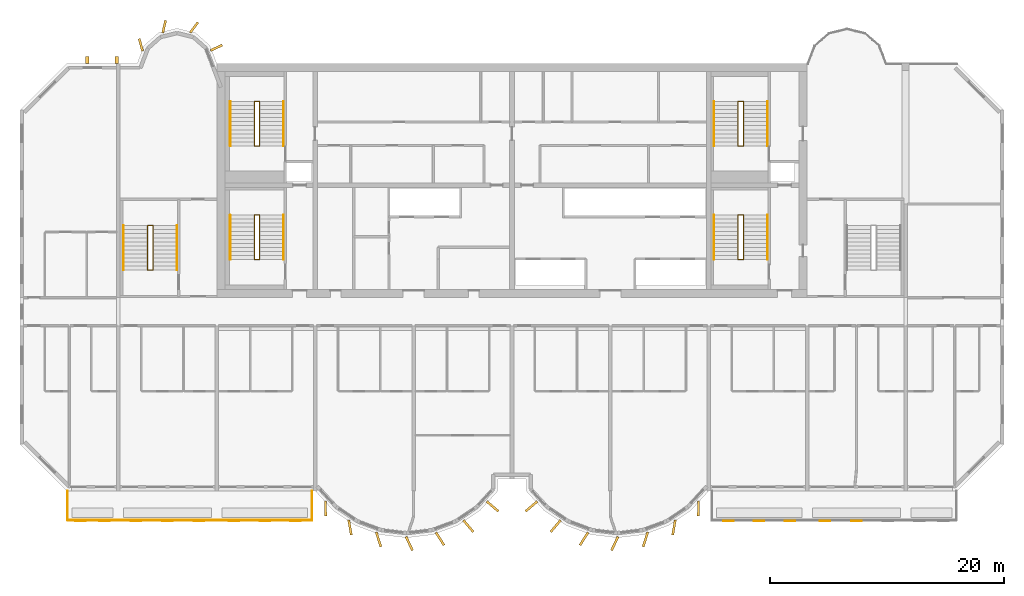
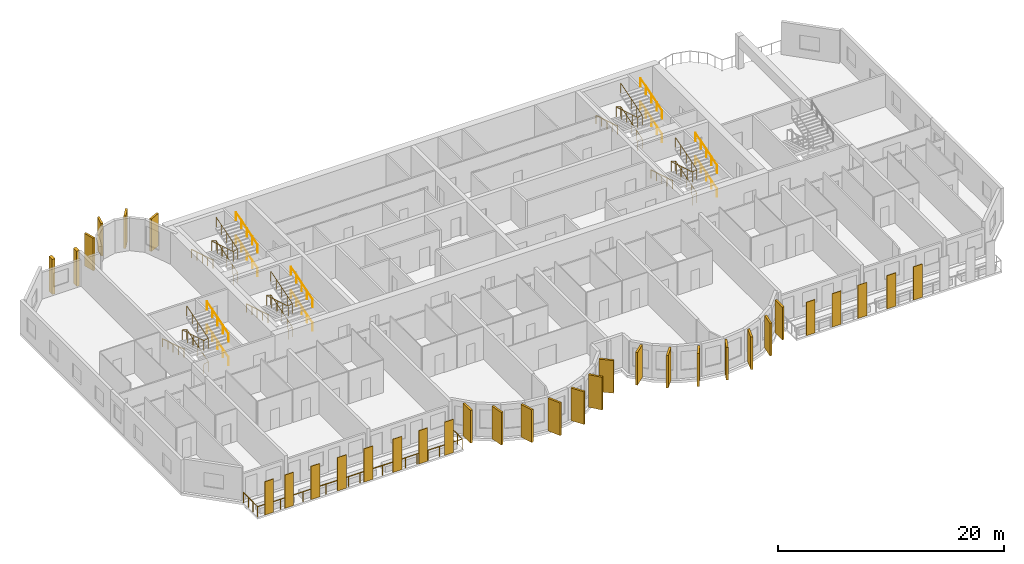
# One storey, part 11 of 13: 33 coverings, 21 railings.
"""IFC4 building model written with IfcOpenShell, lengths in metres."""

from ifc_helpers import new_model, si_unit, direction, frame, origin, origin_2d, place, context, subcontext, project, spatial, rectangle, circle, extrude, source, transform, mapped, material, layer, layer_set, material_profile, profile_set, type_object, element, save


model = new_model("IFC4")

# Units and contexts
model_context = context("Model", 3, precision=1e-05, world=origin(), true_north=direction((0.0, 1.0)))
body_context = subcontext(model_context, "Body", "Model", "MODEL_VIEW")
ifc_project = project(units=[si_unit("LENGTHUNIT", "METRE"), si_unit("AREAUNIT", "SQUARE_METRE"), si_unit("VOLUMEUNIT", "CUBIC_METRE"), si_unit("PLANEANGLEUNIT", "RADIAN"), si_unit("MASSUNIT", "GRAM", prefix="KILO")], contexts=[model_context])

# Site, building, storey
site_placement = place(None, origin())
site = spatial("IfcSite", under=ifc_project, at=site_placement, CompositionType="ELEMENT")
building_placement = place(site_placement, origin())
building = spatial("IfcBuilding", under=site, at=building_placement, Name="Vanashikhar Sky Hotel", CompositionType="ELEMENT")
storey_placement = place(building_placement, frame((0.0, 0.0, 185.800048828125)))
storey = spatial("IfcBuildingStorey", under=building, at=storey_placement, Name="L45", CompositionType="ELEMENT", Elevation=185.800048828125)

# Coverings
ifc_material_1 = material(Name="Terracotta", Category="masonry")
ifc_layer = layer(ifc_material_1, 0.06005859375)
ifc_layer_set = layer_set([ifc_layer], Name="Terracotta baguette screen")
covering_type_1 = type_object("IfcCoveringType", Name="Terracotta baguette screen", PredefinedType="CLADDING", material=ifc_layer_set)
shared_shape_1 = source(origin(), body_context, "Body", "SweptSolid", [
    extrude(rectangle(XDim=0.89990234375, YDim=0.06005859375, at=origin_2d()), origin(), (0.0, 0.0, 1.0), 3.60009765625),
])
for number, where, z_axis, x_axis, name in (
    (1, (13.574951171875, 2.929931640625, -0.050048828125), (0.0, 0.0, 1.0), (1.0, 0.0, 0.0), "Terracotta screen"),
    (2, (15.625, 2.929931640625, -0.050048828125), (0.0, 0.0, 1.0), (1.0, 0.0, 0.0), "Terracotta screen"),
    (3, (18.300048828125, 2.929931640625, -0.050048828125), (0.0, 0.0, 1.0), (1.0, 0.0, 0.0), "Terracotta screen"),
    (4, (21.0, 2.929931640625, -0.050048828125), (0.0, 0.0, 1.0), (1.0, 0.0, 0.0), "Terracotta screen"),
    (5, (23.699951171875, 2.929931640625, -0.050048828125), (0.0, 0.0, 1.0), (1.0, 0.0, 0.0), "Terracotta screen"),
    (6, (26.666748046875, 2.929931640625, -0.050048828125), (0.0, 0.0, 1.0), (1.0, 0.0, 0.0), "Terracotta screen"),
    (7, (29.300048828125, 2.929931640625, -0.050048828125), (0.0, 0.0, 1.0), (1.0, 0.0, 0.0), "Terracotta screen"),
    (8, (31.933349609375, 2.929931640625, -0.050048828125), (0.0, 0.0, 1.0), (1.0, 0.0, 0.0), "Terracotta screen"),
    (9, (68.86669921875, 2.929931640625, -0.050048828125), (0.0, 0.0, 1.0), (1.0, 0.0, 0.0), "Terracotta screen"),
    (10, (71.5, 2.929931640625, -0.050048828125), (0.0, 0.0, 1.0), (1.0, 0.0, 0.0), "Terracotta screen"),
    (11, (74.13330078125, 2.929931640625, -0.050048828125), (0.0, 0.0, 1.0), (1.0, 0.0, 0.0), "Terracotta screen"),
    (12, (77.10009765625, 2.929931640625, -0.050048828125), (0.0, 0.0, 1.0), (1.0, 0.0, 0.0), "Terracotta screen"),
    (13, (79.800048828125, 2.929931640625, -0.050048828125), (0.0, 0.0, 1.0), (1.0, 0.0, 0.0), "Terracotta screen"),
):
    element("IfcCovering", number, at=place(storey_placement, frame(where, z_axis=z_axis, x_axis=x_axis)), inside=storey, type_object=covering_type_1, Name=name, PredefinedType="CLADDING", context=body_context, shape_type="MappedRepresentation", body=[
        mapped(shared_shape_1, transform((0.0, 0.0, 0.0), scale=1.0)),
    ])
ifc_material_2 = material(Name="Concrete M60 dark", Category="concrete")
ifc_material_profile_1 = material_profile(ifc_material_2, rectangle(XDim=1.300048828125, YDim=0.199951171875, at=origin_2d()))
ifc_profile_set_1 = profile_set([ifc_material_profile_1], Name="Fin 1300 x 200")
covering_type_2 = type_object("IfcCoveringType", Name="Fin 1300 x 200", PredefinedType="CLADDING", material=ifc_profile_set_1)
shared_shape_2 = source(origin(), body_context, "Body", "SweptSolid", [
    extrude(rectangle(XDim=1.300048828125, YDim=0.199951171875, at=origin_2d()), origin(), (0.0, 0.0, 1.0), 3.52001953125),
])
for number, where, z_axis, x_axis, name in (
    (14, (34.482421875, 3.992919921875, 0.0), (0.0, 0.0, 1.0), (0.011588726826, -0.999932848451, 0.0), "Fin F1-1"),
    (15, (36.572509765625, 2.3779296875, 0.0), (0.0, 0.0, 1.0), (0.16989991575, -0.985461322746, 0.0), "Fin F1-2"),
    (16, (39.00830078125, 1.35693359375, 0.0), (0.0, 0.0, 1.0), (0.303966551867, -0.952682704444, 0.0), "Fin F1-3"),
    (17, (41.63232421875, 1.00146484375, 0.0), (0.0, 0.0, 1.0), (0.422618261741, -0.906307787037, 0.0), "Fin F1-4"),
    (18, (44.251953125, 1.416015625, 0.0), (0.0, 0.0, 1.0), (0.534411358496, -0.845224526331, 0.0), "Fin F1-5"),
    (19, (46.676025390625, 2.5, 0.0), (0.0, 0.0, 1.0), (0.645697609467, -0.763593214433, 0.0), "Fin F1-6"),
    (20, (48.7412109375, 4.1845703125, 0.0), (0.0, 0.0, 1.0), (0.758543912032, -0.65162192529, 0.0), "Fin F1-7"),
    (21, (52.058837890625, 4.1845703125, 0.0), (0.0, 0.0, 1.0), (-0.758543912032, -0.65162192529, 0.0), "Fin F2-1"),
    (22, (54.123779296875, 2.5, 0.0), (0.0, 0.0, 1.0), (-0.645697609467, -0.763593214433, 0.0), "Fin F2-2"),
    (23, (56.547119140625, 1.416015625, 0.0), (0.0, 0.0, 1.0), (-0.534411358496, -0.845224526331, 0.0), "Fin F2-3"),
    (24, (59.16748046875, 1.00146484375, 0.0), (0.0, 0.0, 1.0), (-0.422618261741, -0.906307787037, 0.0), "Fin F2-4"),
    (25, (61.790771484375, 1.35693359375, 0.0), (0.0, 0.0, 1.0), (-0.303966551867, -0.952682704444, 0.0), "Fin F2-5"),
    (26, (64.2275390625, 2.3779296875, 0.0), (0.0, 0.0, 1.0), (-0.16989991575, -0.985461322746, 0.0), "Fin F2-6"),
    (27, (66.317626953125, 3.992919921875, 0.0), (0.0, 0.0, 1.0), (-0.011588726826, -0.999932848451, 0.0), "Fin F2-7"),
):
    element("IfcCovering", number, at=place(storey_placement, frame(where, z_axis=z_axis, x_axis=x_axis)), inside=storey, type_object=covering_type_2, Name=name, PredefinedType="CLADDING", context=body_context, shape_type="MappedRepresentation", body=[
        mapped(shared_shape_2, transform((0.0, 0.0, 0.0), scale=1.0)),
    ])
ifc_material_profile_2 = material_profile(ifc_material_2, rectangle(XDim=1.10009765625, YDim=0.199951171875, at=origin_2d()))
ifc_profile_set_2 = profile_set([ifc_material_profile_2], Name="Rear lobe fin 1100 x 200")
covering_type_3 = type_object("IfcCoveringType", Name="Rear lobe fin 1100 x 200", PredefinedType="CLADDING", material=ifc_profile_set_2)
shared_shape_3 = source(origin(), body_context, "Body", "SweptSolid", [
    extrude(rectangle(XDim=1.10009765625, YDim=0.199951171875, at=origin_2d()), origin(), (0.0, 0.0, 1.0), 3.52001953125),
])
for number, where, z_axis, x_axis, name in (
    (28, (18.720703125, 43.580078125, 0.0), (0.0, 0.0, 1.0), (-0.262711264409, 0.964874495234, 0.0), "Fin R1-1"),
    (29, (20.710205078125, 45.1455078125, 0.0), (0.0, 0.0, 1.0), (0.224644935864, 0.974440687159, 0.0), "Fin R1-2"),
    (30, (23.261962890625, 45.06640625, 0.0), (0.0, 0.0, 1.0), (0.602065892195, 0.798446404874, 0.0), "Fin R1-3"),
    (31, (25.169677734375, 43.33447265625, 0.0), (0.0, 0.0, 1.0), (0.908004291068, 0.418960866193, 0.0), "Fin R1-4"),
):
    element("IfcCovering", number, at=place(storey_placement, frame(where, z_axis=z_axis, x_axis=x_axis)), inside=storey, type_object=covering_type_3, Name=name, PredefinedType="CLADDING", context=body_context, shape_type="MappedRepresentation", body=[
        mapped(shared_shape_3, transform((0.0, 0.0, 0.0), scale=1.0)),
    ])

# Railing
ifc_material_3 = material(Name="Stainless steel 316", Category="steel")
railing_type_1 = type_object("IfcRailingType", Name="Balcony guard 1100", PredefinedType="GUARDRAIL", material=ifc_material_3)
shared_shape_4 = source(origin(), body_context, "Body", "SweptSolid", [
    extrude(circle(Radius=0.02392578125, at=origin_2d()), frame((0.0, 0.0, 1.076171875), z_axis=(0.0, -1.0, 0.0), x_axis=(1.0, 0.0, 0.0)), (0.0, 0.0, 1.0), 2.5),
    extrude(circle(Radius=0.02392578125, at=origin_2d()), frame((0.0, -2.5, 1.076171875), z_axis=(1.0, 0.0, 0.0), x_axis=(0.0, 1.0, 0.0)), (0.0, 0.0, 1.0), 20.880126953125),
    extrude(circle(Radius=0.02392578125, at=origin_2d()), frame((20.880126953125, -2.5, 1.076171875), z_axis=(0.0, 1.0, 0.0), x_axis=(-1.0, 0.0, 0.0)), (0.0, 0.0, 1.0), 2.5),
    extrude(circle(Radius=0.02099609375, at=origin_2d()), origin(), (0.0, 0.0, 1.0), 1.052001953125),
    extrude(circle(Radius=0.02099609375, at=origin_2d()), frame((0.0, -0.833251953125, 0.0)), (0.0, 0.0, 1.0), 1.052001953125),
    extrude(circle(Radius=0.02099609375, at=origin_2d()), frame((0.0, -1.666748046875, 0.0)), (0.0, 0.0, 1.0), 1.052001953125),
    extrude(circle(Radius=0.02099609375, at=origin_2d()), frame((0.0, -2.5, 0.0)), (0.0, 0.0, 1.0), 1.052001953125),
    extrude(circle(Radius=0.02099609375, at=origin_2d()), frame((1.159912109375, -2.5, 0.0)), (0.0, 0.0, 1.0), 1.052001953125),
    extrude(circle(Radius=0.02099609375, at=origin_2d()), frame((2.320068359375, -2.5, 0.0)), (0.0, 0.0, 1.0), 1.052001953125),
    extrude(circle(Radius=0.02099609375, at=origin_2d()), frame((3.47998046875, -2.5, 0.0)), (0.0, 0.0, 1.0), 1.052001953125),
    extrude(circle(Radius=0.02099609375, at=origin_2d()), frame((4.64013671875, -2.5, 0.0)), (0.0, 0.0, 1.0), 1.052001953125),
    extrude(circle(Radius=0.02099609375, at=origin_2d()), frame((5.800048828125, -2.5, 0.0)), (0.0, 0.0, 1.0), 1.052001953125),
    extrude(circle(Radius=0.02099609375, at=origin_2d()), frame((6.9599609375, -2.5, 0.0)), (0.0, 0.0, 1.0), 1.052001953125),
    extrude(circle(Radius=0.02099609375, at=origin_2d()), frame((8.1201171875, -2.5, 0.0)), (0.0, 0.0, 1.0), 1.052001953125),
    extrude(circle(Radius=0.02099609375, at=origin_2d()), frame((9.280029296875, -2.5, 0.0)), (0.0, 0.0, 1.0), 1.052001953125),
    extrude(circle(Radius=0.02099609375, at=origin_2d()), frame((10.43994140625, -2.5, 0.0)), (0.0, 0.0, 1.0), 1.052001953125),
    extrude(circle(Radius=0.02099609375, at=origin_2d()), frame((11.60009765625, -2.5, 0.0)), (0.0, 0.0, 1.0), 1.052001953125),
    extrude(circle(Radius=0.02099609375, at=origin_2d()), frame((12.760009765625, -2.5, 0.0)), (0.0, 0.0, 1.0), 1.052001953125),
    extrude(circle(Radius=0.02099609375, at=origin_2d()), frame((13.920166015625, -2.5, 0.0)), (0.0, 0.0, 1.0), 1.052001953125),
    extrude(circle(Radius=0.02099609375, at=origin_2d()), frame((15.080078125, -2.5, 0.0)), (0.0, 0.0, 1.0), 1.052001953125),
    extrude(circle(Radius=0.02099609375, at=origin_2d()), frame((16.239990234375, -2.5, 0.0)), (0.0, 0.0, 1.0), 1.052001953125),
    extrude(circle(Radius=0.02099609375, at=origin_2d()), frame((17.400146484375, -2.5, 0.0)), (0.0, 0.0, 1.0), 1.052001953125),
    extrude(circle(Radius=0.02099609375, at=origin_2d()), frame((18.56005859375, -2.5, 0.0)), (0.0, 0.0, 1.0), 1.052001953125),
    extrude(circle(Radius=0.02099609375, at=origin_2d()), frame((19.72021484375, -2.5, 0.0)), (0.0, 0.0, 1.0), 1.052001953125),
    extrude(circle(Radius=0.02099609375, at=origin_2d()), frame((20.880126953125, -2.5, 0.0)), (0.0, 0.0, 1.0), 1.052001953125),
    extrude(circle(Radius=0.02099609375, at=origin_2d()), frame((20.880126953125, -1.666748046875, 0.0)), (0.0, 0.0, 1.0), 1.052001953125),
    extrude(circle(Radius=0.02099609375, at=origin_2d()), frame((20.880126953125, -0.833251953125, 0.0)), (0.0, 0.0, 1.0), 1.052001953125),
    extrude(circle(Radius=0.02099609375, at=origin_2d()), frame((20.880126953125, 0.0, 0.0)), (0.0, 0.0, 1.0), 1.052001953125),
])
railing_1_placement = place(storey_placement, frame((12.4599609375, 5.5, -0.050048828125)))
element("IfcRailing", 32, at=railing_1_placement, inside=storey, type_object=railing_type_1, Name="Balcony guard", PredefinedType="GUARDRAIL", context=body_context, shape_type="MappedRepresentation", body=[
    mapped(shared_shape_4, transform((0.0, 0.0, 0.0), scale=1.0)),
])

# Coverings
ifc_material_profile_3 = material_profile(ifc_material_2, rectangle(XDim=0.60009765625, YDim=0.300048828125, at=origin_2d()))
ifc_profile_set_3 = profile_set([ifc_material_profile_3], Name="Rear rib 600 x 300")
covering_type_4 = type_object("IfcCoveringType", Name="Rear rib 600 x 300", PredefinedType="CLADDING", material=ifc_profile_set_3)
shared_shape_5 = source(origin(), body_context, "Body", "SweptSolid", [
    extrude(rectangle(XDim=0.60009765625, YDim=0.300048828125, at=origin_2d()), origin(), (0.0, 0.0, 1.0), 3.800048828125),
])
for number, where, z_axis, x_axis, name in (
    (33, (14.14990234375, 42.300048828125, -0.280029296875), (0.0, 0.0, 1.0), (0.0, 1.0, 0.0), "Rear rib"),
    (34, (16.64990234375, 42.300048828125, -0.280029296875), (0.0, 0.0, 1.0), (0.0, 1.0, 0.0), "Rear rib"),
):
    element("IfcCovering", number, at=place(storey_placement, frame(where, z_axis=z_axis, x_axis=x_axis)), inside=storey, type_object=covering_type_4, Name=name, PredefinedType="CLADDING", context=body_context, shape_type="MappedRepresentation", body=[
        mapped(shared_shape_5, transform((0.0, 0.0, 0.0), scale=1.0)),
    ])

# Railings
ifc_material_4 = material(Name="Steel S355", Category="steel")
railing_type_2 = type_object("IfcRailingType", Name="Stair guard 1100", PredefinedType="GUARDRAIL", material=ifc_material_4)
shared_shape_6 = source(origin(), body_context, "Body", "SweptSolid", [
    extrude(circle(Radius=0.02392578125, at=origin_2d()), frame((0.0, 0.0, 1.076171875), z_axis=(0.973638301096, 0.0, 0.228097476179), x_axis=(0.0, 1.0, 0.0)), (0.0, 0.0, 1.0), 0.46240234375),
    extrude(circle(Radius=0.02392578125, at=origin_2d()), frame((0.4501953125, 0.0, 1.181640625), z_axis=(0.0, 0.95635109408, 0.292220096591), x_axis=(-1.0, 0.0, 0.0)), (0.0, 0.0, 1.0), 3.973388671875),
    extrude(circle(Radius=0.02392578125, at=origin_2d()), frame((0.4501953125, 3.800048828125, 2.3427734375), z_axis=(-0.973638301096, 0.0, 0.228097476179), x_axis=(0.0, -1.0, 0.0)), (0.0, 0.0, 1.0), 0.46240234375),
    extrude(circle(Radius=0.02392578125, at=origin_2d()), frame((0.0, 3.800048828125, 2.4482421875), z_axis=(0.0, -0.95635109408, 0.292220096591), x_axis=(1.0, 0.0, 0.0)), (0.0, 0.0, 1.0), 3.973388671875),
    extrude(circle(Radius=0.02392578125, at=origin_2d()), frame((0.0, 0.0, 3.609375), z_axis=(0.973520925263, 0.0, 0.228597917917), x_axis=(0.0, 1.0, 0.0)), (0.0, 0.0, 1.0), 0.46240234375),
    extrude(circle(Radius=0.02392578125, at=origin_2d()), frame((0.4501953125, 0.0, 3.71484375), z_axis=(0.0, 0.95635109408, 0.292220096591), x_axis=(-1.0, 0.0, 0.0)), (0.0, 0.0, 1.0), 3.973388671875),
    extrude(circle(Radius=0.02099609375, at=origin_2d()), origin(), (0.0, 0.0, 1.0), 1.052001953125),
    extrude(circle(Radius=0.02099609375, at=origin_2d()), frame((0.4501953125, 0.0, 0.10546875)), (0.0, 0.0, 1.0), 1.052001953125),
    extrude(circle(Radius=0.02099609375, at=origin_2d()), frame((0.4501953125, 0.949951171875, 0.395751953125)), (0.0, 0.0, 1.0), 1.052001953125),
    extrude(circle(Radius=0.02099609375, at=origin_2d()), frame((0.4501953125, 1.89990234375, 0.68603515625)), (0.0, 0.0, 1.0), 1.052001953125),
    extrude(circle(Radius=0.02099609375, at=origin_2d()), frame((0.4501953125, 2.85009765625, 0.976318359375)), (0.0, 0.0, 1.0), 1.052001953125),
    extrude(circle(Radius=0.02099609375, at=origin_2d()), frame((0.4501953125, 3.800048828125, 1.2666015625)), (0.0, 0.0, 1.0), 1.052001953125),
    extrude(circle(Radius=0.02099609375, at=origin_2d()), frame((0.0, 3.800048828125, 1.3720703125)), (0.0, 0.0, 1.0), 1.052001953125),
    extrude(circle(Radius=0.02099609375, at=origin_2d()), frame((0.0, 2.85009765625, 1.662353515625)), (0.0, 0.0, 1.0), 1.052001953125),
    extrude(circle(Radius=0.02099609375, at=origin_2d()), frame((0.0, 1.89990234375, 1.95263671875)), (0.0, 0.0, 1.0), 1.052001953125),
    extrude(circle(Radius=0.02099609375, at=origin_2d()), frame((0.0, 0.949951171875, 2.242919921875)), (0.0, 0.0, 1.0), 1.052001953125),
    extrude(circle(Radius=0.02099609375, at=origin_2d()), frame((0.0, 0.0, 2.533203125)), (0.0, 0.0, 1.0), 1.052001953125),
    extrude(circle(Radius=0.02099609375, at=origin_2d()), frame((0.4501953125, 0.0, 2.638916015625)), (0.0, 0.0, 1.0), 1.052001953125),
    extrude(circle(Radius=0.02099609375, at=origin_2d()), frame((0.4501953125, 0.949951171875, 2.92919921875)), (0.0, 0.0, 1.0), 1.052001953125),
    extrude(circle(Radius=0.02099609375, at=origin_2d()), frame((0.4501953125, 1.89990234375, 3.219482421875)), (0.0, 0.0, 1.0), 1.052001953125),
    extrude(circle(Radius=0.02099609375, at=origin_2d()), frame((0.4501953125, 2.85009765625, 3.509765625)), (0.0, 0.0, 1.0), 1.052001953125),
    extrude(circle(Radius=0.02099609375, at=origin_2d()), frame((0.4501953125, 3.800048828125, 3.800048828125)), (0.0, 0.0, 1.0), 1.052001953125),
])
for number, where, name in (
    (35, (28.39990234375, 25.25, 0.0), "Exit stair 1 guard"),
    (36, (28.39990234375, 34.949951171875, 0.0), "Exit stair 5 guard"),
):
    element("IfcRailing", number, at=place(storey_placement, frame(where)), inside=storey, type_object=railing_type_2, Name=name, PredefinedType="GUARDRAIL", context=body_context, shape_type="MappedRepresentation", body=[
        mapped(shared_shape_6, transform((0.0, 0.0, 0.0), scale=1.0)),
    ])
railing_type_3 = type_object("IfcRailingType", Name="Stair handrail 900", PredefinedType="HANDRAIL", material=ifc_material_4)
shared_shape_7 = source(origin(), body_context, "Body", "SweptSolid", [
    extrude(circle(Radius=0.02392578125, at=origin_2d()), frame((0.0, 0.0, 0.8759765625), z_axis=(0.0, 0.95635109408, 0.292220096591), x_axis=(-1.0, 0.0, 0.0)), (0.0, 0.0, 1.0), 3.973388671875),
    extrude(circle(Radius=0.02099609375, at=origin_2d()), origin(), (0.0, 0.0, 1.0), 0.851806640625),
    extrude(circle(Radius=0.02099609375, at=origin_2d()), frame((0.0, 0.949951171875, 0.290283203125)), (0.0, 0.0, 1.0), 0.851806640625),
    extrude(circle(Radius=0.02099609375, at=origin_2d()), frame((0.0, 1.89990234375, 0.58056640625)), (0.0, 0.0, 1.0), 0.851806640625),
    extrude(circle(Radius=0.02099609375, at=origin_2d()), frame((0.0, 2.85009765625, 0.870849609375)), (0.0, 0.0, 1.0), 0.851806640625),
    extrude(circle(Radius=0.02099609375, at=origin_2d()), frame((0.0, 3.800048828125, 1.1611328125)), (0.0, 0.0, 1.0), 0.851806640625),
])
for number, where, name in (
    (37, (30.89990234375, 25.25, 0.10546875), "Exit stair 1 handrail"),
    (38, (30.89990234375, 25.25, 2.638916015625), "Exit stair 1 handrail"),
    (39, (72.199951171875, 25.25, 0.10546875), "Exit stair 2 handrail"),
    (40, (72.199951171875, 25.25, 2.638916015625), "Exit stair 2 handrail"),
    (41, (30.89990234375, 34.949951171875, 0.10546875), "Exit stair 5 handrail"),
    (42, (30.89990234375, 34.949951171875, 2.638916015625), "Exit stair 5 handrail"),
    (43, (72.199951171875, 34.949951171875, 0.10546875), "Exit stair 6 handrail"),
    (44, (72.199951171875, 34.949951171875, 2.638916015625), "Exit stair 6 handrail"),
):
    element("IfcRailing", number, at=place(storey_placement, frame(where)), inside=storey, type_object=railing_type_3, Name=name, PredefinedType="HANDRAIL", context=body_context, shape_type="MappedRepresentation", body=[
        mapped(shared_shape_7, transform((0.0, 0.0, 0.0), scale=1.0)),
    ])
shared_shape_8 = source(origin(), body_context, "Body", "SweptSolid", [
    extrude(circle(Radius=0.02392578125, at=origin_2d()), frame((0.0, 0.0, 0.8759765625), z_axis=(0.0, -0.95635109408, 0.292220096591), x_axis=(1.0, 0.0, 0.0)), (0.0, 0.0, 1.0), 3.973388671875),
    extrude(circle(Radius=0.02099609375, at=origin_2d()), origin(), (0.0, 0.0, 1.0), 0.851806640625),
    extrude(circle(Radius=0.02099609375, at=origin_2d()), frame((0.0, -0.949951171875, 0.290283203125)), (0.0, 0.0, 1.0), 0.851806640625),
    extrude(circle(Radius=0.02099609375, at=origin_2d()), frame((0.0, -1.89990234375, 0.58056640625)), (0.0, 0.0, 1.0), 0.851806640625),
    extrude(circle(Radius=0.02099609375, at=origin_2d()), frame((0.0, -2.85009765625, 0.870849609375)), (0.0, 0.0, 1.0), 0.851806640625),
    extrude(circle(Radius=0.02099609375, at=origin_2d()), frame((0.0, -3.800048828125, 1.1611328125)), (0.0, 0.0, 1.0), 0.851806640625),
])
for number, where, name in (
    (45, (26.35009765625, 29.050048828125, 1.3720703125), "Exit stair 1 handrail"),
    (46, (67.64990234375, 29.050048828125, 1.3720703125), "Exit stair 2 handrail"),
    (47, (26.35009765625, 38.75, 1.3720703125), "Exit stair 5 handrail"),
    (48, (67.64990234375, 38.75, 1.3720703125), "Exit stair 6 handrail"),
):
    element("IfcRailing", number, at=place(storey_placement, frame(where)), inside=storey, type_object=railing_type_3, Name=name, PredefinedType="HANDRAIL", context=body_context, shape_type="MappedRepresentation", body=[
        mapped(shared_shape_8, transform((0.0, 0.0, 0.0), scale=1.0)),
    ])
shared_shape_9 = source(origin(), body_context, "Body", "SweptSolid", [
    extrude(circle(Radius=0.02392578125, at=origin_2d()), frame((0.0, 0.0, 1.076171875), z_axis=(0.973610808694, 0.0, 0.228214796178), x_axis=(0.0, 1.0, 0.0)), (0.0, 0.0, 1.0), 0.462158203125),
    extrude(circle(Radius=0.02392578125, at=origin_2d()), frame((0.449951171875, 0.0, 1.181640625), z_axis=(0.0, 0.95635109408, 0.292220096591), x_axis=(-1.0, 0.0, 0.0)), (0.0, 0.0, 1.0), 3.973388671875),
    extrude(circle(Radius=0.02392578125, at=origin_2d()), frame((0.449951171875, 3.800048828125, 2.3427734375), z_axis=(-0.973610808694, 0.0, 0.228214796178), x_axis=(0.0, -1.0, 0.0)), (0.0, 0.0, 1.0), 0.462158203125),
    extrude(circle(Radius=0.02392578125, at=origin_2d()), frame((0.0, 3.800048828125, 2.4482421875), z_axis=(0.0, -0.95635109408, 0.292220096591), x_axis=(1.0, 0.0, 0.0)), (0.0, 0.0, 1.0), 3.973388671875),
    extrude(circle(Radius=0.02392578125, at=origin_2d()), frame((0.0, 0.0, 3.609375), z_axis=(0.973493315427, 0.0, 0.228715466945), x_axis=(0.0, 1.0, 0.0)), (0.0, 0.0, 1.0), 0.462158203125),
    extrude(circle(Radius=0.02392578125, at=origin_2d()), frame((0.449951171875, 0.0, 3.71484375), z_axis=(0.0, 0.95635109408, 0.292220096591), x_axis=(-1.0, 0.0, 0.0)), (0.0, 0.0, 1.0), 3.973388671875),
    extrude(circle(Radius=0.02099609375, at=origin_2d()), origin(), (0.0, 0.0, 1.0), 1.052001953125),
    extrude(circle(Radius=0.02099609375, at=origin_2d()), frame((0.449951171875, 0.0, 0.10546875)), (0.0, 0.0, 1.0), 1.052001953125),
    extrude(circle(Radius=0.02099609375, at=origin_2d()), frame((0.449951171875, 0.949951171875, 0.395751953125)), (0.0, 0.0, 1.0), 1.052001953125),
    extrude(circle(Radius=0.02099609375, at=origin_2d()), frame((0.449951171875, 1.89990234375, 0.68603515625)), (0.0, 0.0, 1.0), 1.052001953125),
    extrude(circle(Radius=0.02099609375, at=origin_2d()), frame((0.449951171875, 2.85009765625, 0.976318359375)), (0.0, 0.0, 1.0), 1.052001953125),
    extrude(circle(Radius=0.02099609375, at=origin_2d()), frame((0.449951171875, 3.800048828125, 1.2666015625)), (0.0, 0.0, 1.0), 1.052001953125),
    extrude(circle(Radius=0.02099609375, at=origin_2d()), frame((0.0, 3.800048828125, 1.3720703125)), (0.0, 0.0, 1.0), 1.052001953125),
    extrude(circle(Radius=0.02099609375, at=origin_2d()), frame((0.0, 2.85009765625, 1.662353515625)), (0.0, 0.0, 1.0), 1.052001953125),
    extrude(circle(Radius=0.02099609375, at=origin_2d()), frame((0.0, 1.89990234375, 1.95263671875)), (0.0, 0.0, 1.0), 1.052001953125),
    extrude(circle(Radius=0.02099609375, at=origin_2d()), frame((0.0, 0.949951171875, 2.242919921875)), (0.0, 0.0, 1.0), 1.052001953125),
    extrude(circle(Radius=0.02099609375, at=origin_2d()), frame((0.0, 0.0, 2.533203125)), (0.0, 0.0, 1.0), 1.052001953125),
    extrude(circle(Radius=0.02099609375, at=origin_2d()), frame((0.449951171875, 0.0, 2.638916015625)), (0.0, 0.0, 1.0), 1.052001953125),
    extrude(circle(Radius=0.02099609375, at=origin_2d()), frame((0.449951171875, 0.949951171875, 2.92919921875)), (0.0, 0.0, 1.0), 1.052001953125),
    extrude(circle(Radius=0.02099609375, at=origin_2d()), frame((0.449951171875, 1.89990234375, 3.219482421875)), (0.0, 0.0, 1.0), 1.052001953125),
    extrude(circle(Radius=0.02099609375, at=origin_2d()), frame((0.449951171875, 2.85009765625, 3.509765625)), (0.0, 0.0, 1.0), 1.052001953125),
    extrude(circle(Radius=0.02099609375, at=origin_2d()), frame((0.449951171875, 3.800048828125, 3.800048828125)), (0.0, 0.0, 1.0), 1.052001953125),
])
for number, where, name in (
    (49, (69.699951171875, 25.25, 0.0), "Exit stair 2 guard"),
    (50, (69.699951171875, 34.949951171875, 0.0), "Exit stair 6 guard"),
):
    element("IfcRailing", number, at=place(storey_placement, frame(where)), inside=storey, type_object=railing_type_2, Name=name, PredefinedType="GUARDRAIL", context=body_context, shape_type="MappedRepresentation", body=[
        mapped(shared_shape_9, transform((0.0, 0.0, 0.0), scale=1.0)),
    ])
shared_shape_10 = source(origin(), body_context, "Body", "SweptSolid", [
    extrude(circle(Radius=0.02392578125, at=origin_2d()), frame((0.0, 0.0, 1.076171875), z_axis=(0.973610808694, 0.0, 0.228214796178), x_axis=(0.0, 1.0, 0.0)), (0.0, 0.0, 1.0), 0.462158203125),
    extrude(circle(Radius=0.02392578125, at=origin_2d()), frame((0.449951171875, 0.0, 1.181640625), z_axis=(0.0, 0.956345846891, 0.292237268557), x_axis=(-1.0, 0.0, 0.0)), (0.0, 0.0, 1.0), 3.97314453125),
    extrude(circle(Radius=0.02392578125, at=origin_2d()), frame((0.449951171875, 3.7998046875, 2.3427734375), z_axis=(-0.973610808694, 0.0, 0.228214796178), x_axis=(0.0, -1.0, 0.0)), (0.0, 0.0, 1.0), 0.462158203125),
    extrude(circle(Radius=0.02392578125, at=origin_2d()), frame((0.0, 3.7998046875, 2.4482421875), z_axis=(0.0, -0.956345846891, 0.292237268557), x_axis=(1.0, 0.0, 0.0)), (0.0, 0.0, 1.0), 3.97314453125),
    extrude(circle(Radius=0.02392578125, at=origin_2d()), frame((0.0, 0.0, 3.609375), z_axis=(0.973493315427, 0.0, 0.228715466945), x_axis=(0.0, 1.0, 0.0)), (0.0, 0.0, 1.0), 0.462158203125),
    extrude(circle(Radius=0.02392578125, at=origin_2d()), frame((0.449951171875, 0.0, 3.71484375), z_axis=(0.0, 0.956345846891, 0.292237268557), x_axis=(-1.0, 0.0, 0.0)), (0.0, 0.0, 1.0), 3.97314453125),
    extrude(circle(Radius=0.02099609375, at=origin_2d()), origin(), (0.0, 0.0, 1.0), 1.052001953125),
    extrude(circle(Radius=0.02099609375, at=origin_2d()), frame((0.449951171875, 0.0, 0.10546875)), (0.0, 0.0, 1.0), 1.052001953125),
    extrude(circle(Radius=0.02099609375, at=origin_2d()), frame((0.449951171875, 0.949951171875, 0.395751953125)), (0.0, 0.0, 1.0), 1.052001953125),
    extrude(circle(Radius=0.02099609375, at=origin_2d()), frame((0.449951171875, 1.89990234375, 0.68603515625)), (0.0, 0.0, 1.0), 1.052001953125),
    extrude(circle(Radius=0.02099609375, at=origin_2d()), frame((0.449951171875, 2.849853515625, 0.976318359375)), (0.0, 0.0, 1.0), 1.052001953125),
    extrude(circle(Radius=0.02099609375, at=origin_2d()), frame((0.449951171875, 3.7998046875, 1.2666015625)), (0.0, 0.0, 1.0), 1.052001953125),
    extrude(circle(Radius=0.02099609375, at=origin_2d()), frame((0.0, 3.7998046875, 1.3720703125)), (0.0, 0.0, 1.0), 1.052001953125),
    extrude(circle(Radius=0.02099609375, at=origin_2d()), frame((0.0, 2.849853515625, 1.662353515625)), (0.0, 0.0, 1.0), 1.052001953125),
    extrude(circle(Radius=0.02099609375, at=origin_2d()), frame((0.0, 1.89990234375, 1.95263671875)), (0.0, 0.0, 1.0), 1.052001953125),
    extrude(circle(Radius=0.02099609375, at=origin_2d()), frame((0.0, 0.949951171875, 2.242919921875)), (0.0, 0.0, 1.0), 1.052001953125),
    extrude(circle(Radius=0.02099609375, at=origin_2d()), frame((0.0, 0.0, 2.533203125)), (0.0, 0.0, 1.0), 1.052001953125),
    extrude(circle(Radius=0.02099609375, at=origin_2d()), frame((0.449951171875, 0.0, 2.638916015625)), (0.0, 0.0, 1.0), 1.052001953125),
    extrude(circle(Radius=0.02099609375, at=origin_2d()), frame((0.449951171875, 0.949951171875, 2.92919921875)), (0.0, 0.0, 1.0), 1.052001953125),
    extrude(circle(Radius=0.02099609375, at=origin_2d()), frame((0.449951171875, 1.89990234375, 3.219482421875)), (0.0, 0.0, 1.0), 1.052001953125),
    extrude(circle(Radius=0.02099609375, at=origin_2d()), frame((0.449951171875, 2.849853515625, 3.509765625)), (0.0, 0.0, 1.0), 1.052001953125),
    extrude(circle(Radius=0.02099609375, at=origin_2d()), frame((0.449951171875, 3.7998046875, 3.800048828125)), (0.0, 0.0, 1.0), 1.052001953125),
])
railing_2_placement = place(storey_placement, frame((19.300048828125, 24.35009765625, 0.0)))
element("IfcRailing", 51, at=railing_2_placement, inside=storey, type_object=railing_type_2, Name="Exit stair 3 guard", PredefinedType="GUARDRAIL", context=body_context, shape_type="MappedRepresentation", body=[
    mapped(shared_shape_10, transform((0.0, 0.0, 0.0), scale=1.0)),
])
shared_shape_11 = source(origin(), body_context, "Body", "SweptSolid", [
    extrude(circle(Radius=0.02392578125, at=origin_2d()), frame((0.0, 0.0, 0.8759765625), z_axis=(0.0, 0.956345846891, 0.292237268557), x_axis=(-1.0, 0.0, 0.0)), (0.0, 0.0, 1.0), 3.97314453125),
    extrude(circle(Radius=0.02099609375, at=origin_2d()), origin(), (0.0, 0.0, 1.0), 0.851806640625),
    extrude(circle(Radius=0.02099609375, at=origin_2d()), frame((0.0, 0.949951171875, 0.290283203125)), (0.0, 0.0, 1.0), 0.851806640625),
    extrude(circle(Radius=0.02099609375, at=origin_2d()), frame((0.0, 1.89990234375, 0.58056640625)), (0.0, 0.0, 1.0), 0.851806640625),
    extrude(circle(Radius=0.02099609375, at=origin_2d()), frame((0.0, 2.849853515625, 0.870849609375)), (0.0, 0.0, 1.0), 0.851806640625),
    extrude(circle(Radius=0.02099609375, at=origin_2d()), frame((0.0, 3.7998046875, 1.1611328125)), (0.0, 0.0, 1.0), 0.851806640625),
])
for number, where, name in (
    (52, (21.800048828125, 24.35009765625, 0.10546875), "Exit stair 3 handrail"),
    (53, (21.800048828125, 24.35009765625, 2.638916015625), "Exit stair 3 handrail"),
):
    element("IfcRailing", number, at=place(storey_placement, frame(where)), inside=storey, type_object=railing_type_3, Name=name, PredefinedType="HANDRAIL", context=body_context, shape_type="MappedRepresentation", body=[
        mapped(shared_shape_11, transform((0.0, 0.0, 0.0), scale=1.0)),
    ])
shared_shape_12 = source(origin(), body_context, "Body", "SweptSolid", [
    extrude(circle(Radius=0.02392578125, at=origin_2d()), frame((0.0, 0.0, 0.8759765625), z_axis=(0.0, -0.956345846891, 0.292237268557), x_axis=(1.0, 0.0, 0.0)), (0.0, 0.0, 1.0), 3.97314453125),
    extrude(circle(Radius=0.02099609375, at=origin_2d()), origin(), (0.0, 0.0, 1.0), 0.851806640625),
    extrude(circle(Radius=0.02099609375, at=origin_2d()), frame((0.0, -0.949951171875, 0.290283203125)), (0.0, 0.0, 1.0), 0.851806640625),
    extrude(circle(Radius=0.02099609375, at=origin_2d()), frame((0.0, -1.89990234375, 0.58056640625)), (0.0, 0.0, 1.0), 0.851806640625),
    extrude(circle(Radius=0.02099609375, at=origin_2d()), frame((0.0, -2.849853515625, 0.870849609375)), (0.0, 0.0, 1.0), 0.851806640625),
    extrude(circle(Radius=0.02099609375, at=origin_2d()), frame((0.0, -3.7998046875, 1.1611328125)), (0.0, 0.0, 1.0), 0.851806640625),
])
railing_3_placement = place(storey_placement, frame((17.25, 28.14990234375, 1.3720703125)))
element("IfcRailing", 54, at=railing_3_placement, inside=storey, type_object=railing_type_3, Name="Exit stair 3 handrail", PredefinedType="HANDRAIL", context=body_context, shape_type="MappedRepresentation", body=[
    mapped(shared_shape_12, transform((0.0, 0.0, 0.0), scale=1.0)),
])

save(model, "model.ifc")
